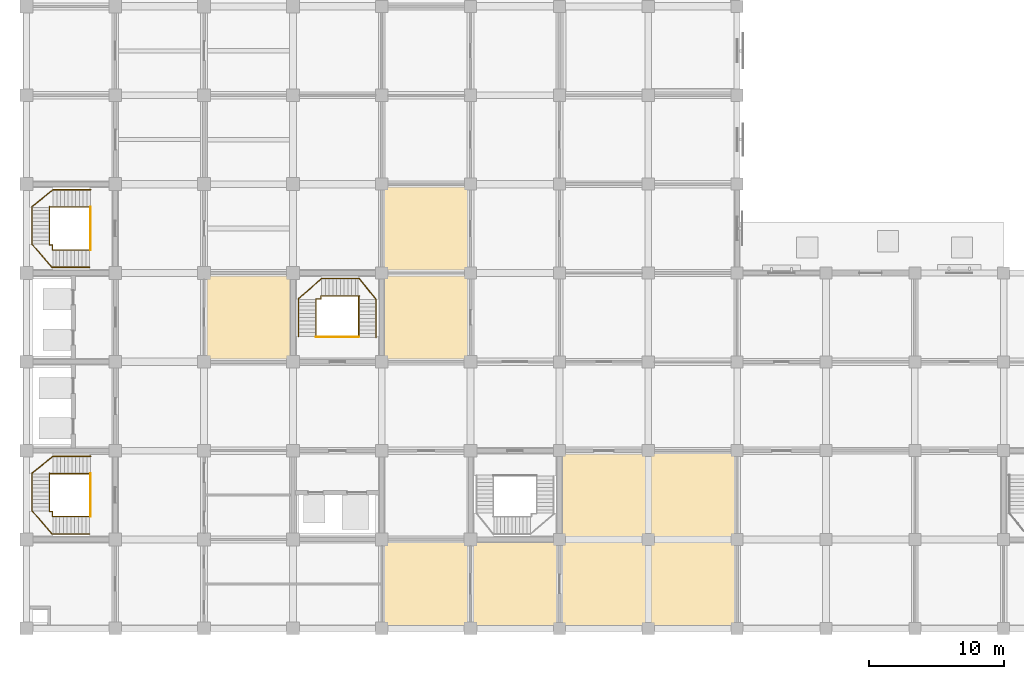
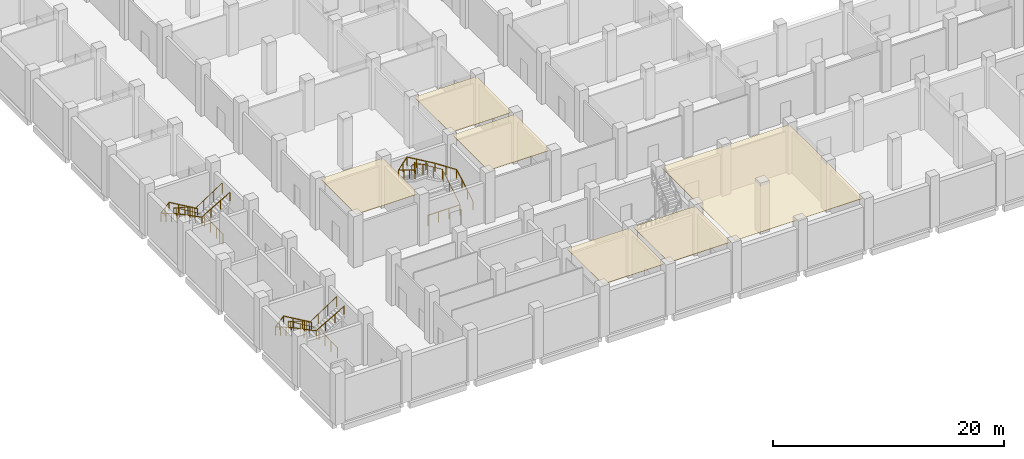
# One storey, part 24 of 28: 9 railings, 6 coverings.
"""IFC4 building model written with IfcOpenShell, lengths in metres."""

from ifc_helpers import new_model, si_unit, direction, frame, origin, origin_2d, place, context, subcontext, project, spatial, polyline, circle, outline, extrude, material, layer, layer_set, type_object, element, save


model = new_model("IFC4")

# Units and contexts
model_context = context("Model", 3, precision=1e-05, world=origin(), true_north=direction((0.0, 1.0)))
body_context = subcontext(model_context, "Body", "Model", "MODEL_VIEW")
ifc_project = project(units=[si_unit("LENGTHUNIT", "METRE"), si_unit("AREAUNIT", "SQUARE_METRE"), si_unit("VOLUMEUNIT", "CUBIC_METRE"), si_unit("PLANEANGLEUNIT", "RADIAN"), si_unit("MASSUNIT", "GRAM", prefix="KILO")], contexts=[model_context])

# Site, building, storey
site_placement = place(None, origin())
site = spatial("IfcSite", under=ifc_project, at=site_placement, CompositionType="ELEMENT")
building_placement = place(site_placement, origin())
building = spatial("IfcBuilding", under=site, at=building_placement, Name="Rusizi Kubbe Research Institute", CompositionType="ELEMENT")
storey_placement = place(building_placement, origin())
storey = spatial("IfcBuildingStorey", under=building, at=storey_placement, Name="L00", CompositionType="ELEMENT", Elevation=0.0)

# Coverings
ifc_material_1 = material(Name="Mineral-Fibre Acoustic Laboratory Ceiling", Category="masonry")
ifc_layer = layer(ifc_material_1, 0.0400390625)
ifc_layer_set = layer_set([ifc_layer], Name="Mineral-Fibre Acoustic Laboratory Ceiling")
covering_type = type_object("IfcCoveringType", Name="CL-ACOUSTIC", PredefinedType="CEILING", material=ifc_layer_set)
covering_1_placement = place(storey_placement, frame((0.0, 0.0, 5.010009765625)))
element("IfcCovering", 1, at=covering_1_placement, inside=storey, type_object=covering_type, Name="Write-up Office Ceiling L00-ELBW-03", PredefinedType="CEILING", context=body_context, shape_type="SweptSolid", body=[
    extrude(outline(polyline([(26.590087890625, 19.989990234375), (32.81005859375, 19.989990234375), (32.81005859375, 26.2099609375), (26.590087890625, 26.2099609375), (26.590087890625, 19.989990234375)])), origin(), (0.0, 0.0, 1.0), 0.0400390625),
])
covering_2_placement = place(storey_placement, frame((0.0, 0.0, 5.010009765625)))
element("IfcCovering", 2, at=covering_2_placement, inside=storey, type_object=covering_type, Name="Write-up Office Ceiling L00-ELBW-04", PredefinedType="CEILING", context=body_context, shape_type="SweptSolid", body=[
    extrude(outline(polyline([(26.590087890625, 26.590087890625), (32.81005859375, 26.590087890625), (32.81005859375, 32.81005859375), (26.590087890625, 32.81005859375), (26.590087890625, 26.590087890625)])), origin(), (0.0, 0.0, 1.0), 0.0400390625),
])
covering_3_placement = place(storey_placement, frame((0.0, 0.0, 5.010009765625)))
element("IfcCovering", 3, at=covering_3_placement, inside=storey, type_object=covering_type, Name="Computational Dry Laboratory Ceiling L00-NW-01", PredefinedType="CEILING", context=body_context, shape_type="SweptSolid", body=[
    extrude(outline(polyline([(13.389892578125, 19.989990234375), (19.610107421875, 19.989990234375), (19.610107421875, 26.2099609375), (13.389892578125, 26.2099609375), (13.389892578125, 19.989990234375)])), origin(), (0.0, 0.0, 1.0), 0.0400390625),
])
covering_4_placement = place(storey_placement, frame((0.0, 0.0, 5.010009765625)))
element("IfcCovering", 4, at=covering_4_placement, inside=storey, type_object=covering_type, Name="Catalysis Wet Laboratory Ceiling L00-EWS-01", PredefinedType="CEILING", context=body_context, shape_type="SweptSolid", body=[
    extrude(outline(polyline([(39.7900390625, 0.18994140625), (52.610107421875, 0.18994140625), (52.610107421875, 13.010009765625), (39.7900390625, 13.010009765625), (39.7900390625, 0.18994140625)])), origin(), (0.0, 0.0, 1.0), 0.0400390625),
])
covering_5_placement = place(storey_placement, frame((0.0, 0.0, 5.010009765625)))
element("IfcCovering", 5, at=covering_5_placement, inside=storey, type_object=covering_type, Name="Laboratory Instrument Support Room Ceiling L00-EWU-04", PredefinedType="CEILING", context=body_context, shape_type="SweptSolid", body=[
    extrude(outline(polyline([(26.590087890625, 0.18994140625), (32.81005859375, 0.18994140625), (32.81005859375, 6.409912109375), (26.590087890625, 6.409912109375), (26.590087890625, 0.18994140625)])), origin(), (0.0, 0.0, 1.0), 0.0400390625),
])
covering_6_placement = place(storey_placement, frame((0.0, 0.0, 5.010009765625)))
element("IfcCovering", 6, at=covering_6_placement, inside=storey, type_object=covering_type, Name="Laboratory Instrument Support Room Ceiling L00-EWU-05", PredefinedType="CEILING", context=body_context, shape_type="SweptSolid", body=[
    extrude(outline(polyline([(33.18994140625, 0.18994140625), (39.409912109375, 0.18994140625), (39.409912109375, 6.409912109375), (33.18994140625, 6.409912109375), (33.18994140625, 0.18994140625)])), origin(), (0.0, 0.0, 1.0), 0.0400390625),
])

# Railings
ifc_material_2 = material(Name="Painted Steel Stair Guard", Category="steel")
railing_type_1 = type_object("IfcRailingType", Name="GR-STAIR", PredefinedType="GUARDRAIL", material=ifc_material_2)
railing_1_placement = place(storey_placement, frame((4.780029296875, 11.489990234375, 0.081787109375)))
element("IfcRailing", 7, at=railing_1_placement, inside=storey, type_object=railing_type_1, Name="Stair Inner Well Guard ST1 L00", PredefinedType="GUARDRAIL", context=body_context, shape_type="SweptSolid", body=[
    extrude(circle(Radius=0.02392578125, at=origin_2d()), frame((0.0, 0.0, 1.09619140625), z_axis=(-0.855598663518, 0.0, 0.517639765653), x_axis=(0.0, -1.0, 0.0)), (0.0, 0.0, 1.0), 3.3193359375),
    extrude(circle(Radius=0.02392578125, at=origin_2d()), frame((-2.840087890625, 0.0, 2.814453125), z_axis=(-1.0, 0.0, 0.0), x_axis=(0.0, -1.0, 0.0)), (0.0, 0.0, 1.0), 0.22998046875),
    extrude(circle(Radius=0.02392578125, at=origin_2d()), frame((-3.070068359375, 0.0, 2.814453125), z_axis=(0.0, 0.439690925609, 0.898149146822), x_axis=(-1.0, 0.0, 0.0)), (0.0, 0.0, 1.0), 0.091064453125),
    extrude(circle(Radius=0.02392578125, at=origin_2d()), frame((-3.070068359375, 0.0400390625, 2.89599609375), z_axis=(0.0, -0.85231595241, 0.523027262452), x_axis=(1.0, 0.0, 0.0)), (0.0, 0.0, 1.0), 3.28515625),
    extrude(circle(Radius=0.02392578125, at=origin_2d()), frame((-3.070068359375, -2.760009765625, 4.6142578125), z_axis=(0.0, -1.0, 0.0), x_axis=(1.0, 0.0, 0.0)), (0.0, 0.0, 1.0), 0.0400390625),
    extrude(circle(Radius=0.02392578125, at=origin_2d()), frame((-3.070068359375, -2.800048828125, 4.6142578125), z_axis=(1.0, 0.0, 0.0), x_axis=(0.0, 1.0, 0.0)), (0.0, 0.0, 1.0), 0.22998046875),
    extrude(circle(Radius=0.02392578125, at=origin_2d()), frame((-2.840087890625, -2.800048828125, 4.6142578125), z_axis=(0.0, -1.0, 0.0), x_axis=(1.0, 0.0, 0.0)), (0.0, 0.0, 1.0), 0.3798828125),
    extrude(circle(Radius=0.02392578125, at=origin_2d()), frame((-2.840087890625, -3.179931640625, 4.6142578125), z_axis=(0.837638602289, 0.0, 0.546224836451), x_axis=(0.0, 1.0, 0.0)), (0.0, 0.0, 1.0), 3.294921875),
    extrude(circle(Radius=0.02099609375, at=origin_2d()), origin(), (0.0, 0.0, 1.0), 1.072021484375),
    extrude(circle(Radius=0.02099609375, at=origin_2d()), frame((-0.94677734375, 0.0, 0.57275390625)), (0.0, 0.0, 1.0), 1.072021484375),
    extrude(circle(Radius=0.02099609375, at=origin_2d()), frame((-1.893310546875, 0.0, 1.1455078125)), (0.0, 0.0, 1.0), 1.072021484375),
    extrude(circle(Radius=0.02099609375, at=origin_2d()), frame((-2.840087890625, 0.0, 1.71826171875)), (0.0, 0.0, 1.0), 1.072021484375),
    extrude(circle(Radius=0.02099609375, at=origin_2d()), frame((-3.070068359375, 0.0, 1.71826171875)), (0.0, 0.0, 1.0), 1.072021484375),
    extrude(circle(Radius=0.02099609375, at=origin_2d()), frame((-3.070068359375, 0.0400390625, 1.800048828125)), (0.0, 0.0, 1.0), 1.072021484375),
    extrude(circle(Radius=0.02099609375, at=origin_2d()), frame((-3.070068359375, -0.893310546875, 2.372802734375)), (0.0, 0.0, 1.0), 1.072021484375),
    extrude(circle(Radius=0.02099609375, at=origin_2d()), frame((-3.070068359375, -1.82666015625, 2.945556640625)), (0.0, 0.0, 1.0), 1.072021484375),
    extrude(circle(Radius=0.02099609375, at=origin_2d()), frame((-3.070068359375, -2.760009765625, 3.518310546875)), (0.0, 0.0, 1.0), 1.072021484375),
    extrude(circle(Radius=0.02099609375, at=origin_2d()), frame((-3.070068359375, -2.800048828125, 3.518310546875)), (0.0, 0.0, 1.0), 1.072021484375),
    extrude(circle(Radius=0.02099609375, at=origin_2d()), frame((-2.840087890625, -2.800048828125, 3.518310546875)), (0.0, 0.0, 1.0), 1.072021484375),
    extrude(circle(Radius=0.02099609375, at=origin_2d()), frame((-2.840087890625, -3.179931640625, 3.518310546875)), (0.0, 0.0, 1.0), 1.072021484375),
    extrude(circle(Radius=0.02099609375, at=origin_2d()), frame((-1.920166015625, -3.179931640625, 4.1181640625)), (0.0, 0.0, 1.0), 1.072021484375),
    extrude(circle(Radius=0.02099609375, at=origin_2d()), frame((-1.0, -3.179931640625, 4.71826171875)), (0.0, 0.0, 1.0), 1.072021484375),
    extrude(circle(Radius=0.02099609375, at=origin_2d()), frame((-0.080078125, -3.179931640625, 5.318115234375)), (0.0, 0.0, 1.0), 1.072021484375),
])
railing_2_placement = place(storey_placement, frame((4.75, 11.489990234375, 0.0)))
element("IfcRailing", 8, at=railing_2_placement, inside=storey, type_object=railing_type_1, Name="Stair Floor Edge Guard ST1 L00", PredefinedType="GUARDRAIL", context=body_context, shape_type="SweptSolid", body=[
    extrude(circle(Radius=0.02392578125, at=origin_2d()), frame((0.0, 0.0, 1.09619140625), z_axis=(0.0, -1.0, 0.0), x_axis=(1.0, 0.0, 0.0)), (0.0, 0.0, 1.0), 3.179931640625),
    extrude(circle(Radius=0.02099609375, at=origin_2d()), origin(), (0.0, 0.0, 1.0), 1.072021484375),
    extrude(circle(Radius=0.02099609375, at=origin_2d()), frame((0.0, -1.06005859375, 0.0)), (0.0, 0.0, 1.0), 1.072021484375),
    extrude(circle(Radius=0.02099609375, at=origin_2d()), frame((0.0, -2.119873046875, 0.0)), (0.0, 0.0, 1.0), 1.072021484375),
    extrude(circle(Radius=0.02099609375, at=origin_2d()), frame((0.0, -3.179931640625, 0.0)), (0.0, 0.0, 1.0), 1.072021484375),
])
railing_3_placement = place(storey_placement, frame((4.780029296875, 31.2900390625, 0.081787109375)))
element("IfcRailing", 9, at=railing_3_placement, inside=storey, type_object=railing_type_1, Name="Stair Inner Well Guard ST2 L00", PredefinedType="GUARDRAIL", context=body_context, shape_type="SweptSolid", body=[
    extrude(circle(Radius=0.02392578125, at=origin_2d()), frame((0.0, 0.0, 1.09619140625), z_axis=(-0.855598663518, 0.0, 0.517639765653), x_axis=(0.0, -1.0, 0.0)), (0.0, 0.0, 1.0), 3.3193359375),
    extrude(circle(Radius=0.02392578125, at=origin_2d()), frame((-2.840087890625, 0.0, 2.814453125), z_axis=(-1.0, 0.0, 0.0), x_axis=(0.0, -1.0, 0.0)), (0.0, 0.0, 1.0), 0.22998046875),
    extrude(circle(Radius=0.02392578125, at=origin_2d()), frame((-3.070068359375, 0.0, 2.814453125), z_axis=(0.0, 0.439690925609, 0.898149146822), x_axis=(-1.0, 0.0, 0.0)), (0.0, 0.0, 1.0), 0.091064453125),
    extrude(circle(Radius=0.02392578125, at=origin_2d()), frame((-3.070068359375, 0.0400390625, 2.89599609375), z_axis=(0.0, -0.85231595241, 0.523027262452), x_axis=(1.0, 0.0, 0.0)), (0.0, 0.0, 1.0), 3.28515625),
    extrude(circle(Radius=0.02392578125, at=origin_2d()), frame((-3.070068359375, -2.760009765625, 4.6142578125), z_axis=(0.0, -1.0, 0.0), x_axis=(1.0, 0.0, 0.0)), (0.0, 0.0, 1.0), 0.0400390625),
    extrude(circle(Radius=0.02392578125, at=origin_2d()), frame((-3.070068359375, -2.800048828125, 4.6142578125), z_axis=(1.0, 0.0, 0.0), x_axis=(0.0, 1.0, 0.0)), (0.0, 0.0, 1.0), 0.22998046875),
    extrude(circle(Radius=0.02392578125, at=origin_2d()), frame((-2.840087890625, -2.800048828125, 4.6142578125), z_axis=(0.0, -1.0, 0.0), x_axis=(1.0, 0.0, 0.0)), (0.0, 0.0, 1.0), 0.3798828125),
    extrude(circle(Radius=0.02392578125, at=origin_2d()), frame((-2.840087890625, -3.179931640625, 4.6142578125), z_axis=(0.837638602289, 0.0, 0.546224836451), x_axis=(0.0, 1.0, 0.0)), (0.0, 0.0, 1.0), 3.294921875),
    extrude(circle(Radius=0.02099609375, at=origin_2d()), origin(), (0.0, 0.0, 1.0), 1.072021484375),
    extrude(circle(Radius=0.02099609375, at=origin_2d()), frame((-0.94677734375, 0.0, 0.57275390625)), (0.0, 0.0, 1.0), 1.072021484375),
    extrude(circle(Radius=0.02099609375, at=origin_2d()), frame((-1.893310546875, 0.0, 1.1455078125)), (0.0, 0.0, 1.0), 1.072021484375),
    extrude(circle(Radius=0.02099609375, at=origin_2d()), frame((-2.840087890625, 0.0, 1.71826171875)), (0.0, 0.0, 1.0), 1.072021484375),
    extrude(circle(Radius=0.02099609375, at=origin_2d()), frame((-3.070068359375, 0.0, 1.71826171875)), (0.0, 0.0, 1.0), 1.072021484375),
    extrude(circle(Radius=0.02099609375, at=origin_2d()), frame((-3.070068359375, 0.0400390625, 1.800048828125)), (0.0, 0.0, 1.0), 1.072021484375),
    extrude(circle(Radius=0.02099609375, at=origin_2d()), frame((-3.070068359375, -0.893310546875, 2.372802734375)), (0.0, 0.0, 1.0), 1.072021484375),
    extrude(circle(Radius=0.02099609375, at=origin_2d()), frame((-3.070068359375, -1.82666015625, 2.945556640625)), (0.0, 0.0, 1.0), 1.072021484375),
    extrude(circle(Radius=0.02099609375, at=origin_2d()), frame((-3.070068359375, -2.760009765625, 3.518310546875)), (0.0, 0.0, 1.0), 1.072021484375),
    extrude(circle(Radius=0.02099609375, at=origin_2d()), frame((-3.070068359375, -2.800048828125, 3.518310546875)), (0.0, 0.0, 1.0), 1.072021484375),
    extrude(circle(Radius=0.02099609375, at=origin_2d()), frame((-2.840087890625, -2.800048828125, 3.518310546875)), (0.0, 0.0, 1.0), 1.072021484375),
    extrude(circle(Radius=0.02099609375, at=origin_2d()), frame((-2.840087890625, -3.179931640625, 3.518310546875)), (0.0, 0.0, 1.0), 1.072021484375),
    extrude(circle(Radius=0.02099609375, at=origin_2d()), frame((-1.920166015625, -3.179931640625, 4.1181640625)), (0.0, 0.0, 1.0), 1.072021484375),
    extrude(circle(Radius=0.02099609375, at=origin_2d()), frame((-1.0, -3.179931640625, 4.71826171875)), (0.0, 0.0, 1.0), 1.072021484375),
    extrude(circle(Radius=0.02099609375, at=origin_2d()), frame((-0.080078125, -3.179931640625, 5.318115234375)), (0.0, 0.0, 1.0), 1.072021484375),
])
railing_4_placement = place(storey_placement, frame((4.75, 31.2900390625, 0.0)))
element("IfcRailing", 10, at=railing_4_placement, inside=storey, type_object=railing_type_1, Name="Stair Floor Edge Guard ST2 L00", PredefinedType="GUARDRAIL", context=body_context, shape_type="SweptSolid", body=[
    extrude(circle(Radius=0.02392578125, at=origin_2d()), frame((0.0, 0.0, 1.09619140625), z_axis=(0.0, -1.0, 0.0), x_axis=(1.0, 0.0, 0.0)), (0.0, 0.0, 1.0), 3.179931640625),
    extrude(circle(Radius=0.02099609375, at=origin_2d()), origin(), (0.0, 0.0, 1.0), 1.072021484375),
    extrude(circle(Radius=0.02099609375, at=origin_2d()), frame((0.0, -1.06005859375, 0.0)), (0.0, 0.0, 1.0), 1.072021484375),
    extrude(circle(Radius=0.02099609375, at=origin_2d()), frame((0.0, -2.119873046875, 0.0)), (0.0, 0.0, 1.0), 1.072021484375),
    extrude(circle(Radius=0.02099609375, at=origin_2d()), frame((0.0, -3.179931640625, 0.0)), (0.0, 0.0, 1.0), 1.072021484375),
])
railing_5_placement = place(storey_placement, frame((24.68994140625, 21.6201171875, 0.081787109375)))
element("IfcRailing", 11, at=railing_5_placement, inside=storey, type_object=railing_type_1, Name="Stair Inner Well Guard ST3 L00", PredefinedType="GUARDRAIL", context=body_context, shape_type="SweptSolid", body=[
    extrude(circle(Radius=0.02392578125, at=origin_2d()), frame((0.0, 0.0, 1.09619140625), z_axis=(0.0, 0.855578954063, 0.517672341703), x_axis=(-1.0, 0.0, 0.0)), (0.0, 0.0, 1.0), 3.319091796875),
    extrude(circle(Radius=0.02392578125, at=origin_2d()), frame((0.0, 2.83984375, 2.814453125), z_axis=(0.0, 1.0, 0.0), x_axis=(-1.0, 0.0, 0.0)), (0.0, 0.0, 1.0), 0.22998046875),
    extrude(circle(Radius=0.02392578125, at=origin_2d()), frame((0.0, 3.06982421875, 2.814453125), z_axis=(0.439690925609, 0.0, 0.898149146822), x_axis=(0.0, 1.0, 0.0)), (0.0, 0.0, 1.0), 0.091064453125),
    extrude(circle(Radius=0.02392578125, at=origin_2d()), frame((0.0400390625, 3.06982421875, 2.89599609375), z_axis=(-0.85231595241, 0.0, 0.523027262452), x_axis=(0.0, -1.0, 0.0)), (0.0, 0.0, 1.0), 3.28515625),
    extrude(circle(Radius=0.02392578125, at=origin_2d()), frame((-2.760009765625, 3.06982421875, 4.6142578125), z_axis=(-1.0, 0.0, 0.0), x_axis=(0.0, -1.0, 0.0)), (0.0, 0.0, 1.0), 0.0400390625),
    extrude(circle(Radius=0.02392578125, at=origin_2d()), frame((-2.800048828125, 3.06982421875, 4.6142578125), z_axis=(0.0, -1.0, 0.0), x_axis=(1.0, 0.0, 0.0)), (0.0, 0.0, 1.0), 0.22998046875),
    extrude(circle(Radius=0.02392578125, at=origin_2d()), frame((-2.800048828125, 2.83984375, 4.6142578125), z_axis=(-1.0, 0.0, 0.0), x_axis=(0.0, -1.0, 0.0)), (0.0, 0.0, 1.0), 0.3798828125),
    extrude(circle(Radius=0.02392578125, at=origin_2d()), frame((-3.179931640625, 2.83984375, 4.6142578125), z_axis=(0.0, -0.837638602289, 0.546224836451), x_axis=(1.0, 0.0, 0.0)), (0.0, 0.0, 1.0), 3.294921875),
    extrude(circle(Radius=0.02099609375, at=origin_2d()), origin(), (0.0, 0.0, 1.0), 1.072021484375),
    extrude(circle(Radius=0.02099609375, at=origin_2d()), frame((0.0, 0.946533203125, 0.57275390625)), (0.0, 0.0, 1.0), 1.072021484375),
    extrude(circle(Radius=0.02099609375, at=origin_2d()), frame((0.0, 1.893310546875, 1.1455078125)), (0.0, 0.0, 1.0), 1.072021484375),
    extrude(circle(Radius=0.02099609375, at=origin_2d()), frame((0.0, 2.83984375, 1.71826171875)), (0.0, 0.0, 1.0), 1.072021484375),
    extrude(circle(Radius=0.02099609375, at=origin_2d()), frame((0.0, 3.06982421875, 1.71826171875)), (0.0, 0.0, 1.0), 1.072021484375),
    extrude(circle(Radius=0.02099609375, at=origin_2d()), frame((0.0400390625, 3.06982421875, 1.800048828125)), (0.0, 0.0, 1.0), 1.072021484375),
    extrude(circle(Radius=0.02099609375, at=origin_2d()), frame((-0.893310546875, 3.06982421875, 2.372802734375)), (0.0, 0.0, 1.0), 1.072021484375),
    extrude(circle(Radius=0.02099609375, at=origin_2d()), frame((-1.82666015625, 3.06982421875, 2.945556640625)), (0.0, 0.0, 1.0), 1.072021484375),
    extrude(circle(Radius=0.02099609375, at=origin_2d()), frame((-2.760009765625, 3.06982421875, 3.518310546875)), (0.0, 0.0, 1.0), 1.072021484375),
    extrude(circle(Radius=0.02099609375, at=origin_2d()), frame((-2.800048828125, 3.06982421875, 3.518310546875)), (0.0, 0.0, 1.0), 1.072021484375),
    extrude(circle(Radius=0.02099609375, at=origin_2d()), frame((-2.800048828125, 2.83984375, 3.518310546875)), (0.0, 0.0, 1.0), 1.072021484375),
    extrude(circle(Radius=0.02099609375, at=origin_2d()), frame((-3.179931640625, 2.83984375, 3.518310546875)), (0.0, 0.0, 1.0), 1.072021484375),
    extrude(circle(Radius=0.02099609375, at=origin_2d()), frame((-3.179931640625, 1.919921875, 4.1181640625)), (0.0, 0.0, 1.0), 1.072021484375),
    extrude(circle(Radius=0.02099609375, at=origin_2d()), frame((-3.179931640625, 0.999755859375, 4.71826171875)), (0.0, 0.0, 1.0), 1.072021484375),
    extrude(circle(Radius=0.02099609375, at=origin_2d()), frame((-3.179931640625, 0.079833984375, 5.318115234375)), (0.0, 0.0, 1.0), 1.072021484375),
])
railing_6_placement = place(storey_placement, frame((24.68994140625, 21.64990234375, 0.0)))
element("IfcRailing", 12, at=railing_6_placement, inside=storey, type_object=railing_type_1, Name="Stair Floor Edge Guard ST3 L00", PredefinedType="GUARDRAIL", context=body_context, shape_type="SweptSolid", body=[
    extrude(circle(Radius=0.02392578125, at=origin_2d()), frame((0.0, 0.0, 1.09619140625), z_axis=(-1.0, 0.0, 0.0), x_axis=(0.0, -1.0, 0.0)), (0.0, 0.0, 1.0), 3.179931640625),
    extrude(circle(Radius=0.02099609375, at=origin_2d()), origin(), (0.0, 0.0, 1.0), 1.072021484375),
    extrude(circle(Radius=0.02099609375, at=origin_2d()), frame((-1.06005859375, 0.0, 0.0)), (0.0, 0.0, 1.0), 1.072021484375),
    extrude(circle(Radius=0.02099609375, at=origin_2d()), frame((-2.119873046875, 0.0, 0.0)), (0.0, 0.0, 1.0), 1.072021484375),
    extrude(circle(Radius=0.02099609375, at=origin_2d()), frame((-3.179931640625, 0.0, 0.0)), (0.0, 0.0, 1.0), 1.072021484375),
])
ifc_material_3 = material(Name="Brushed Stainless Steel Handrail", Category="steel")
railing_type_2 = type_object("IfcRailingType", Name="HR-STAIR", PredefinedType="HANDRAIL", material=ifc_material_3)
railing_7_placement = place(storey_placement, frame((4.780029296875, 12.780029296875, 0.16357421875)))
element("IfcRailing", 13, at=railing_7_placement, inside=storey, type_object=railing_type_2, Name="Stair Wall Handrail ST1 L00", PredefinedType="HANDRAIL", context=body_context, shape_type="SweptSolid", body=[
    extrude(circle(Radius=0.02392578125, at=origin_2d()), frame((0.0, 0.0, 0.8759765625), z_axis=(-0.863360870873, 0.0, 0.504586966384), x_axis=(0.0, -1.0, 0.0)), (0.0, 0.0, 1.0), 3.2431640625),
    extrude(circle(Radius=0.02392578125, at=origin_2d()), frame((-2.800048828125, 0.0, 2.51220703125), z_axis=(-0.777792534669, -0.623207789907, 0.081552581882), x_axis=(0.625290607566, -0.78039198874, 0.0)), (0.0, 0.0, 1.0), 2.005859375),
    extrude(circle(Radius=0.02392578125, at=origin_2d()), frame((-4.360107421875, -1.25, 2.67578125), z_axis=(0.0, -0.863360870873, 0.504586966384), x_axis=(1.0, 0.0, 0.0)), (0.0, 0.0, 1.0), 3.2431640625),
    extrude(circle(Radius=0.02392578125, at=origin_2d()), frame((-4.360107421875, -4.050048828125, 4.3125), z_axis=(0.65426471018, -0.752828984738, 0.072015336918), x_axis=(0.754788775087, 0.655967914614, 0.0)), (0.0, 0.0, 1.0), 2.271484375),
    extrude(circle(Radius=0.02392578125, at=origin_2d()), frame((-2.8740234375, -5.760009765625, 4.47607421875), z_axis=(0.86291342459, 0.0, 0.505351780112), x_axis=(0.0, 1.0, 0.0)), (0.0, 0.0, 1.0), 3.23779296875),
    extrude(circle(Radius=0.02099609375, at=origin_2d()), origin(), (0.0, 0.0, 1.0), 0.851806640625),
    extrude(circle(Radius=0.02099609375, at=origin_2d()), frame((-0.933349609375, 0.0, 0.54541015625)), (0.0, 0.0, 1.0), 0.851806640625),
    extrude(circle(Radius=0.02099609375, at=origin_2d()), frame((-1.86669921875, 0.0, 1.091064453125)), (0.0, 0.0, 1.0), 0.851806640625),
    extrude(circle(Radius=0.02099609375, at=origin_2d()), frame((-2.800048828125, 0.0, 1.636474609375)), (0.0, 0.0, 1.0), 0.851806640625),
    extrude(circle(Radius=0.02099609375, at=origin_2d()), frame((-3.580078125, -0.625, 1.71826171875)), (0.0, 0.0, 1.0), 0.851806640625),
    extrude(circle(Radius=0.02099609375, at=origin_2d()), frame((-4.360107421875, -1.25, 1.800048828125)), (0.0, 0.0, 1.0), 0.851806640625),
    extrude(circle(Radius=0.02099609375, at=origin_2d()), frame((-4.360107421875, -2.183349609375, 2.345458984375)), (0.0, 0.0, 1.0), 0.851806640625),
    extrude(circle(Radius=0.02099609375, at=origin_2d()), frame((-4.360107421875, -3.11669921875, 2.89111328125)), (0.0, 0.0, 1.0), 0.851806640625),
    extrude(circle(Radius=0.02099609375, at=origin_2d()), frame((-4.360107421875, -4.050048828125, 3.4365234375)), (0.0, 0.0, 1.0), 0.851806640625),
    extrude(circle(Radius=0.02099609375, at=origin_2d()), frame((-3.6171875, -4.905029296875, 3.518310546875)), (0.0, 0.0, 1.0), 0.851806640625),
    extrude(circle(Radius=0.02099609375, at=origin_2d()), frame((-2.8740234375, -5.760009765625, 3.60009765625)), (0.0, 0.0, 1.0), 0.851806640625),
    extrude(circle(Radius=0.02099609375, at=origin_2d()), frame((-1.942626953125, -5.760009765625, 4.1455078125)), (0.0, 0.0, 1.0), 0.851806640625),
    extrude(circle(Radius=0.02099609375, at=origin_2d()), frame((-1.011474609375, -5.760009765625, 4.69091796875)), (0.0, 0.0, 1.0), 0.851806640625),
    extrude(circle(Radius=0.02099609375, at=origin_2d()), frame((-0.080078125, -5.760009765625, 5.236328125)), (0.0, 0.0, 1.0), 0.851806640625),
])
railing_8_placement = place(storey_placement, frame((4.780029296875, 32.580078125, 0.16357421875)))
element("IfcRailing", 14, at=railing_8_placement, inside=storey, type_object=railing_type_2, Name="Stair Wall Handrail ST2 L00", PredefinedType="HANDRAIL", context=body_context, shape_type="SweptSolid", body=[
    extrude(circle(Radius=0.02392578125, at=origin_2d()), frame((0.0, 0.0, 0.8759765625), z_axis=(-0.863360870873, 0.0, 0.504586966384), x_axis=(0.0, -1.0, 0.0)), (0.0, 0.0, 1.0), 3.2431640625),
    extrude(circle(Radius=0.02392578125, at=origin_2d()), frame((-2.800048828125, 0.0, 2.51220703125), z_axis=(-0.777792534669, -0.623207789907, 0.081552581882), x_axis=(0.625290607566, -0.78039198874, 0.0)), (0.0, 0.0, 1.0), 2.005859375),
    extrude(circle(Radius=0.02392578125, at=origin_2d()), frame((-4.360107421875, -1.25, 2.67578125), z_axis=(0.0, -0.863360870873, 0.504586966384), x_axis=(1.0, 0.0, 0.0)), (0.0, 0.0, 1.0), 3.2431640625),
    extrude(circle(Radius=0.02392578125, at=origin_2d()), frame((-4.360107421875, -4.050048828125, 4.3125), z_axis=(0.65426471018, -0.752828984738, 0.072015336918), x_axis=(0.754788775087, 0.655967914614, 0.0)), (0.0, 0.0, 1.0), 2.271484375),
    extrude(circle(Radius=0.02392578125, at=origin_2d()), frame((-2.8740234375, -5.760009765625, 4.47607421875), z_axis=(0.86291342459, 0.0, 0.505351780112), x_axis=(0.0, 1.0, 0.0)), (0.0, 0.0, 1.0), 3.23779296875),
    extrude(circle(Radius=0.02099609375, at=origin_2d()), origin(), (0.0, 0.0, 1.0), 0.851806640625),
    extrude(circle(Radius=0.02099609375, at=origin_2d()), frame((-0.933349609375, 0.0, 0.54541015625)), (0.0, 0.0, 1.0), 0.851806640625),
    extrude(circle(Radius=0.02099609375, at=origin_2d()), frame((-1.86669921875, 0.0, 1.091064453125)), (0.0, 0.0, 1.0), 0.851806640625),
    extrude(circle(Radius=0.02099609375, at=origin_2d()), frame((-2.800048828125, 0.0, 1.636474609375)), (0.0, 0.0, 1.0), 0.851806640625),
    extrude(circle(Radius=0.02099609375, at=origin_2d()), frame((-3.580078125, -0.625, 1.71826171875)), (0.0, 0.0, 1.0), 0.851806640625),
    extrude(circle(Radius=0.02099609375, at=origin_2d()), frame((-4.360107421875, -1.25, 1.800048828125)), (0.0, 0.0, 1.0), 0.851806640625),
    extrude(circle(Radius=0.02099609375, at=origin_2d()), frame((-4.360107421875, -2.183349609375, 2.345458984375)), (0.0, 0.0, 1.0), 0.851806640625),
    extrude(circle(Radius=0.02099609375, at=origin_2d()), frame((-4.360107421875, -3.11669921875, 2.89111328125)), (0.0, 0.0, 1.0), 0.851806640625),
    extrude(circle(Radius=0.02099609375, at=origin_2d()), frame((-4.360107421875, -4.050048828125, 3.4365234375)), (0.0, 0.0, 1.0), 0.851806640625),
    extrude(circle(Radius=0.02099609375, at=origin_2d()), frame((-3.6171875, -4.905029296875, 3.518310546875)), (0.0, 0.0, 1.0), 0.851806640625),
    extrude(circle(Radius=0.02099609375, at=origin_2d()), frame((-2.8740234375, -5.760009765625, 3.60009765625)), (0.0, 0.0, 1.0), 0.851806640625),
    extrude(circle(Radius=0.02099609375, at=origin_2d()), frame((-1.942626953125, -5.760009765625, 4.1455078125)), (0.0, 0.0, 1.0), 0.851806640625),
    extrude(circle(Radius=0.02099609375, at=origin_2d()), frame((-1.011474609375, -5.760009765625, 4.69091796875)), (0.0, 0.0, 1.0), 0.851806640625),
    extrude(circle(Radius=0.02099609375, at=origin_2d()), frame((-0.080078125, -5.760009765625, 5.236328125)), (0.0, 0.0, 1.0), 0.851806640625),
])
railing_9_placement = place(storey_placement, frame((25.97998046875, 21.6201171875, 0.16357421875)))
element("IfcRailing", 15, at=railing_9_placement, inside=storey, type_object=railing_type_2, Name="Stair Wall Handrail ST3 L00", PredefinedType="HANDRAIL", context=body_context, shape_type="SweptSolid", body=[
    extrude(circle(Radius=0.02392578125, at=origin_2d()), frame((0.0, 0.0, 0.8759765625), z_axis=(0.0, 0.863341702679, 0.504619762213), x_axis=(-1.0, 0.0, 0.0)), (0.0, 0.0, 1.0), 3.242919921875),
    extrude(circle(Radius=0.02392578125, at=origin_2d()), frame((0.0, 2.7998046875, 2.51220703125), z_axis=(-0.623207789907, 0.777792534669, 0.081552581882), x_axis=(-0.78039198874, -0.625290607566, 0.0)), (0.0, 0.0, 1.0), 2.005859375),
    extrude(circle(Radius=0.02392578125, at=origin_2d()), frame((-1.25, 4.35986328125, 2.67578125), z_axis=(-0.863360870873, 0.0, 0.504586966384), x_axis=(0.0, -1.0, 0.0)), (0.0, 0.0, 1.0), 3.2431640625),
    extrude(circle(Radius=0.02392578125, at=origin_2d()), frame((-4.050048828125, 4.35986328125, 4.3125), z_axis=(-0.752828984738, -0.65426471018, 0.072015336918), x_axis=(0.655967914614, -0.754788775087, 0.0)), (0.0, 0.0, 1.0), 2.271484375),
    extrude(circle(Radius=0.02392578125, at=origin_2d()), frame((-5.760009765625, 2.873779296875, 4.47607421875), z_axis=(0.0, -0.86291342459, 0.505351780112), x_axis=(1.0, 0.0, 0.0)), (0.0, 0.0, 1.0), 3.23779296875),
    extrude(circle(Radius=0.02099609375, at=origin_2d()), origin(), (0.0, 0.0, 1.0), 0.851806640625),
    extrude(circle(Radius=0.02099609375, at=origin_2d()), frame((0.0, 0.933349609375, 0.54541015625)), (0.0, 0.0, 1.0), 0.851806640625),
    extrude(circle(Radius=0.02099609375, at=origin_2d()), frame((0.0, 1.866455078125, 1.091064453125)), (0.0, 0.0, 1.0), 0.851806640625),
    extrude(circle(Radius=0.02099609375, at=origin_2d()), frame((0.0, 2.7998046875, 1.636474609375)), (0.0, 0.0, 1.0), 0.851806640625),
    extrude(circle(Radius=0.02099609375, at=origin_2d()), frame((-0.625, 3.579833984375, 1.71826171875)), (0.0, 0.0, 1.0), 0.851806640625),
    extrude(circle(Radius=0.02099609375, at=origin_2d()), frame((-1.25, 4.35986328125, 1.800048828125)), (0.0, 0.0, 1.0), 0.851806640625),
    extrude(circle(Radius=0.02099609375, at=origin_2d()), frame((-2.183349609375, 4.35986328125, 2.345458984375)), (0.0, 0.0, 1.0), 0.851806640625),
    extrude(circle(Radius=0.02099609375, at=origin_2d()), frame((-3.11669921875, 4.35986328125, 2.89111328125)), (0.0, 0.0, 1.0), 0.851806640625),
    extrude(circle(Radius=0.02099609375, at=origin_2d()), frame((-4.050048828125, 4.35986328125, 3.4365234375)), (0.0, 0.0, 1.0), 0.851806640625),
    extrude(circle(Radius=0.02099609375, at=origin_2d()), frame((-4.905029296875, 3.61669921875, 3.518310546875)), (0.0, 0.0, 1.0), 0.851806640625),
    extrude(circle(Radius=0.02099609375, at=origin_2d()), frame((-5.760009765625, 2.873779296875, 3.60009765625)), (0.0, 0.0, 1.0), 0.851806640625),
    extrude(circle(Radius=0.02099609375, at=origin_2d()), frame((-5.760009765625, 1.9423828125, 4.1455078125)), (0.0, 0.0, 1.0), 0.851806640625),
    extrude(circle(Radius=0.02099609375, at=origin_2d()), frame((-5.760009765625, 1.01123046875, 4.69091796875)), (0.0, 0.0, 1.0), 0.851806640625),
    extrude(circle(Radius=0.02099609375, at=origin_2d()), frame((-5.760009765625, 0.079833984375, 5.236328125)), (0.0, 0.0, 1.0), 0.851806640625),
])

save(model, "model.ifc")
